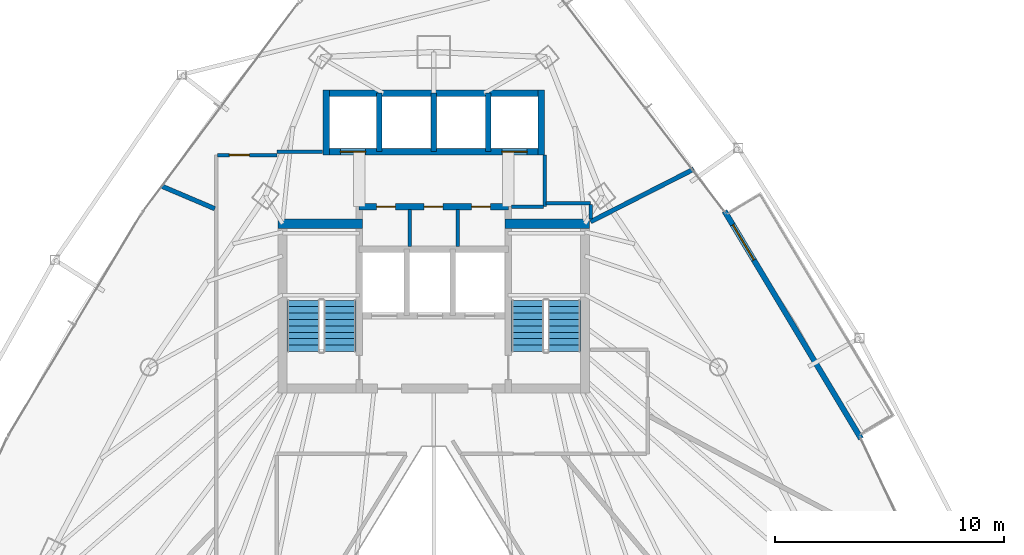
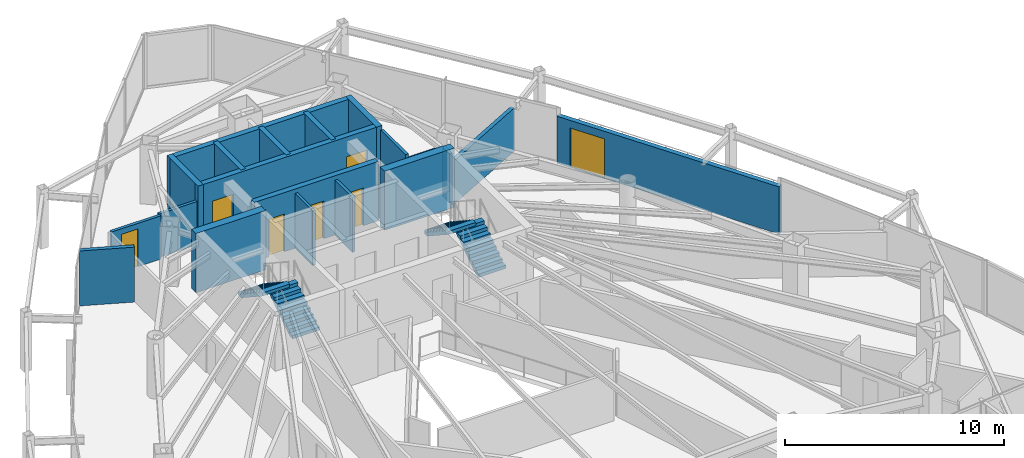
# One storey, part 28 of 31: 21 walls, 7 doors, 4 stair flights, 7 openings, 2 elements without a shape of their own.
"""IFC4 building model written with IfcOpenShell, lengths in metres."""

from ifc_helpers import new_model, si_unit, direction, frame, frame_2d, origin, place, context, subcontext, project, spatial, polyline, rectangle, outline, extrude, material, layer, layer_set, type_object, element, fill, aggregate, save


model = new_model("IFC4")

# Units and contexts
model_context = context("Model", 3, precision=1e-05, world=origin(), true_north=direction((0.0, 1.0)))
body_context = subcontext(model_context, "Body", "Model", "MODEL_VIEW")
ifc_project = project(units=[si_unit("LENGTHUNIT", "METRE"), si_unit("AREAUNIT", "SQUARE_METRE"), si_unit("VOLUMEUNIT", "CUBIC_METRE"), si_unit("PLANEANGLEUNIT", "RADIAN"), si_unit("MASSUNIT", "GRAM", prefix="KILO")], contexts=[model_context])

# Site, building, storey
site_placement = place(None, origin())
site = spatial("IfcSite", under=ifc_project, at=site_placement, CompositionType="ELEMENT")
building_placement = place(site_placement, origin())
building = spatial("IfcBuilding", under=site, at=building_placement, Name="Orvanel Arch Residences", CompositionType="ELEMENT")
storey_placement = place(building_placement, frame((0.0, 0.0, 126.5)))
storey = spatial("IfcBuildingStorey", under=building, at=storey_placement, Name="L35", CompositionType="ELEMENT", Elevation=126.5)

# Wall, opening, door
ifc_material_1 = material(Name="Precast concrete N50 (50 MPa)", Category="concrete")
ifc_layer_1 = layer(ifc_material_1, 0.239990234375)
ifc_layer_set_1 = layer_set([ifc_layer_1], Name="Precast concrete N50 (50 MPa)")
wall_type_1 = type_object("IfcWallType", Name="EW-BAL-240", PredefinedType="SOLIDWALL", material=ifc_layer_set_1)
wall_1_placement = place(storey_placement, frame((51.658935546875, 24.514892578125, 0.0), z_axis=(0.0, 0.0, 1.0), x_axis=(-0.514343998995, 0.857583961311, 0.0)))
wall_1 = element("IfcWall", 1, at=wall_1_placement, inside=storey, type_object=wall_type_1, Name="L35 Balcony Threshold Wall Face 3", PredefinedType="SOLIDWALL", context=body_context, shape_type="SweptSolid", body=[
    extrude(rectangle(XDim=11.59326171875, YDim=0.239990234375, at=frame_2d((5.796630859375, 0.0))), origin(), (0.0, 0.0, 1.0), 2.6240234375),
])
opening_1_placement = place(wall_1_placement, frame((9.095947265625, 0.0, 0.0)))
opening_1 = element("IfcOpeningElement", 2, at=opening_1_placement, cuts=wall_1, Name="Opening DB-180", PredefinedType="OPENING", context=body_context, shape_type="SweptSolid", body=[
    extrude(rectangle(XDim=1.800048828125, YDim=2.199951171875, at=frame_2d((0.89990234375, 1.10009765625))), frame((0.0, 0.1298828125, 0.0), z_axis=(0.0, -1.0, 0.0), x_axis=(1.0, 0.0, 0.0)), (0.0, 0.0, 1.0), 0.260009765625),
])
ifc_material_2 = material(Name="Bronze-anodised aluminium AA6063-T6", Category="aluminium")
door_type_1 = type_object("IfcDoorType", Name="DR-BAL-1800", OperationType="NOTDEFINED", PredefinedType="DOOR", material=ifc_material_2)
door_1_placement = place(opening_1_placement, origin())
door_1 = element("IfcDoor", 3, at=door_1_placement, inside=storey, type_object=door_type_1, Name="DR-L35-BAL-F3 L35 Planted Balcony Access Door Face 3", OperationType="SINGLE_SWING_LEFT", OverallHeight=2.199951171875, OverallWidth=1.800048828125, PredefinedType="DOOR", context=body_context, shape_type="SweptSolid", body=[
    extrude(rectangle(XDim=1.800048828125, YDim=2.199951171875, at=frame_2d((0.89990234375, 1.10009765625))), frame((0.0, 0.02490234375, 0.0), z_axis=(0.0, -1.0, 0.0), x_axis=(1.0, 0.0, 0.0)), (0.0, 0.0, 1.0), 0.050048828125),
])
fill(opening_1, door_1)

# Walls
ifc_material_3 = material(Name="Concrete N50 (50 MPa)", Category="concrete")
ifc_layer_2 = layer(ifc_material_3, 0.25)
ifc_layer_set_2 = layer_set([ifc_layer_2], Name="Concrete N50 (50 MPa)")
wall_type_2 = type_object("IfcWallType", Name="SW-CORE-250", PredefinedType="SHEAR", material=ifc_layer_set_2)
for number, where, z_axis, x_axis, name in (
    (4, (30.625, 37.050048828125, 0.0), (0.0, 0.0, 1.0), (0.0, 1.0, 0.0), "L35 Passenger Lift Inter-Shaft Wall P35"),
    (5, (33.0, 37.050048828125, 0.0), (0.0, 0.0, 1.0), (0.0, 1.0, 0.0), "L35 Passenger Lift Inter-Shaft Wall P56"),
    (6, (35.375, 37.050048828125, 0.0), (0.0, 0.0, 1.0), (0.0, 1.0, 0.0), "L35 Passenger Lift Inter-Shaft Wall P64"),
):
    element("IfcWall", number, at=place(storey_placement, frame(where, z_axis=z_axis, x_axis=x_axis)), inside=storey, type_object=wall_type_2, Name=name, PredefinedType="SHEAR", context=body_context, shape_type="SweptSolid", body=[
        extrude(rectangle(XDim=2.550048828125, YDim=0.25, at=frame_2d((1.27490234375, 0.0))), origin(), (0.0, 0.0, 1.0), 3.300048828125),
    ])

# Wall, openings, doors
ifc_material_4 = material(Name="Concrete S65 (65 MPa)", Category="concrete")
ifc_layer_3 = layer(ifc_material_4, 0.280029296875)
ifc_layer_set_3 = layer_set([ifc_layer_3], Name="Concrete S65 (65 MPa)")
wall_type_3 = type_object("IfcWallType", Name="SW-CORE-280", PredefinedType="SHEAR", material=ifc_layer_set_3)
wall_2_placement = place(storey_placement, frame((29.739990234375, 34.64990234375, 0.0), z_axis=(0.0, 0.0, 1.0), x_axis=(1.0, 0.0, 0.0)))
wall_2 = element("IfcWall", 7, at=wall_2_placement, inside=storey, type_object=wall_type_3, Name="L35 Core Service Band North Shear Wall", PredefinedType="SHEAR", context=body_context, shape_type="SweptSolid", body=[
    extrude(rectangle(XDim=6.52001953125, YDim=0.280029296875, at=frame_2d((3.260009765625, 0.0))), origin(), (0.0, 0.0, 1.0), 3.300048828125),
])
opening_2_placement = place(wall_2_placement, frame((0.764892578125, 0.0, 0.0)))
opening_2 = element("IfcOpeningElement", 8, at=opening_2_placement, cuts=wall_2, Name="Opening DS-082", PredefinedType="OPENING", context=body_context, shape_type="SweptSolid", body=[
    extrude(rectangle(XDim=0.820068359375, YDim=2.10009765625, at=frame_2d((0.41015625, 1.050048828125))), frame((0.0, 0.14990234375, 0.0), z_axis=(0.0, -1.0, 0.0), x_axis=(1.0, 0.0, 0.0)), (0.0, 0.0, 1.0), 0.300048828125),
])
opening_3_placement = place(wall_2_placement, frame((2.840087890625, 0.0, 0.0)))
opening_3 = element("IfcOpeningElement", 9, at=opening_3_placement, cuts=wall_2, Name="Opening DS-082", PredefinedType="OPENING", context=body_context, shape_type="SweptSolid", body=[
    extrude(rectangle(XDim=0.820068359375, YDim=2.10009765625, at=frame_2d((0.41015625, 1.050048828125))), frame((0.0, 0.14990234375, 0.0), z_axis=(0.0, -1.0, 0.0), x_axis=(1.0, 0.0, 0.0)), (0.0, 0.0, 1.0), 0.300048828125),
])
opening_4_placement = place(wall_2_placement, frame((4.9150390625, 0.0, 0.0)))
opening_4 = element("IfcOpeningElement", 10, at=opening_4_placement, cuts=wall_2, Name="Opening DS-082", PredefinedType="OPENING", context=body_context, shape_type="SweptSolid", body=[
    extrude(rectangle(XDim=0.820068359375, YDim=2.10009765625, at=frame_2d((0.41015625, 1.050048828125))), frame((0.0, 0.14990234375, 0.0), z_axis=(0.0, -1.0, 0.0), x_axis=(1.0, 0.0, 0.0)), (0.0, 0.0, 1.0), 0.300048828125),
])
ifc_material_5 = material(Name="Galvanised steel fire-resisting door assembly", Category="steel")
door_type_2 = type_object("IfcDoorType", Name="DR-SVC-820", OperationType="NOTDEFINED", PredefinedType="DOOR", material=ifc_material_5)
door_2_placement = place(opening_2_placement, origin())
door_2 = element("IfcDoor", 11, at=door_2_placement, inside=storey, type_object=door_type_2, Name="DR-L35-CSVC-1 L35 Housekeeping Store Door", OperationType="SINGLE_SWING_LEFT", OverallHeight=2.10009765625, OverallWidth=0.820068359375, PredefinedType="DOOR", context=body_context, shape_type="SweptSolid", body=[
    extrude(rectangle(XDim=0.820068359375, YDim=2.10009765625, at=frame_2d((0.41015625, 1.050048828125))), frame((0.0, 0.02490234375, 0.0), z_axis=(0.0, -1.0, 0.0), x_axis=(1.0, 0.0, 0.0)), (0.0, 0.0, 1.0), 0.050048828125),
])
fill(opening_2, door_2)
door_3_placement = place(opening_3_placement, origin())
door_3 = element("IfcDoor", 12, at=door_3_placement, inside=storey, type_object=door_type_2, Name="DR-L35-CSVC-2 L35 Cleaner's Store Door", OperationType="SINGLE_SWING_LEFT", OverallHeight=2.10009765625, OverallWidth=0.820068359375, PredefinedType="DOOR", context=body_context, shape_type="SweptSolid", body=[
    extrude(rectangle(XDim=0.820068359375, YDim=2.10009765625, at=frame_2d((0.41015625, 1.050048828125))), frame((0.0, 0.02490234375, 0.0), z_axis=(0.0, -1.0, 0.0), x_axis=(1.0, 0.0, 0.0)), (0.0, 0.0, 1.0), 0.050048828125),
])
fill(opening_3, door_3)
door_4_placement = place(opening_4_placement, origin())
door_4 = element("IfcDoor", 13, at=door_4_placement, inside=storey, type_object=door_type_2, Name="DR-L35-CSVC-3 L35 Comms Riser Store Door", OperationType="SINGLE_SWING_LEFT", OverallHeight=2.10009765625, OverallWidth=0.820068359375, PredefinedType="DOOR", context=body_context, shape_type="SweptSolid", body=[
    extrude(rectangle(XDim=0.820068359375, YDim=2.10009765625, at=frame_2d((0.41015625, 1.050048828125))), frame((0.0, 0.02490234375, 0.0), z_axis=(0.0, -1.0, 0.0), x_axis=(1.0, 0.0, 0.0)), (0.0, 0.0, 1.0), 0.050048828125),
])
fill(opening_4, door_4)

wall_3_placement = place(storey_placement, frame((37.840087890625, 37.050048828125, 0.0), z_axis=(0.0, 0.0, 1.0), x_axis=(-1.0, 0.0, 0.0)))
wall_3 = element("IfcWall", 14, at=wall_3_placement, inside=storey, type_object=wall_type_3, Name="L35 Passenger Lift Bank Front Shear Wall", PredefinedType="SHEAR", context=body_context, shape_type="SweptSolid", body=[
    extrude(rectangle(XDim=9.68017578125, YDim=0.280029296875, at=frame_2d((4.840087890625, 0.0))), origin(), (0.0, 0.0, 1.0), 3.300048828125),
])
opening_5_placement = place(wall_3_placement, frame((7.81494140625, 0.0, 0.0)))
opening_5 = element("IfcOpeningElement", 15, at=opening_5_placement, cuts=wall_3, Name="Opening LD-110", PredefinedType="OPENING", context=body_context, shape_type="SweptSolid", body=[
    extrude(rectangle(XDim=1.10009765625, YDim=2.199951171875, at=frame_2d((0.550048828125, 1.10009765625))), frame((0.0, 0.14990234375, 0.0), z_axis=(0.0, -1.0, 0.0), x_axis=(1.0, 0.0, 0.0)), (0.0, 0.0, 1.0), 0.300048828125),
])
opening_6_placement = place(wall_3_placement, frame((0.764892578125, 0.0, 0.0)))
opening_6 = element("IfcOpeningElement", 16, at=opening_6_placement, cuts=wall_3, Name="Opening LD-110", PredefinedType="OPENING", context=body_context, shape_type="SweptSolid", body=[
    extrude(rectangle(XDim=1.10009765625, YDim=2.199951171875, at=frame_2d((0.550048828125, 1.10009765625))), frame((0.0, 0.14990234375, 0.0), z_axis=(0.0, -1.0, 0.0), x_axis=(1.0, 0.0, 0.0)), (0.0, 0.0, 1.0), 0.300048828125),
])
door_type_3 = type_object("IfcDoorType", Name="DR-LFT-1100", OperationType="NOTDEFINED", PredefinedType="DOOR", material=ifc_material_5)
door_5_placement = place(opening_5_placement, origin())
door_5 = element("IfcDoor", 17, at=door_5_placement, inside=storey, type_object=door_type_3, Name="LD-P3-L35 L35 Passenger Lift P3 Sliding Landing Door", OperationType="DOUBLE_DOOR_SLIDING", OverallHeight=2.199951171875, OverallWidth=1.10009765625, PredefinedType="DOOR", context=body_context, shape_type="SweptSolid", body=[
    extrude(rectangle(XDim=1.10009765625, YDim=2.199951171875, at=frame_2d((0.550048828125, 1.10009765625))), frame((0.0, 0.02490234375, 0.0), z_axis=(0.0, -1.0, 0.0), x_axis=(1.0, 0.0, 0.0)), (0.0, 0.0, 1.0), 0.050048828125),
])
fill(opening_5, door_5)
door_6_placement = place(opening_6_placement, origin())
door_6 = element("IfcDoor", 18, at=door_6_placement, inside=storey, type_object=door_type_3, Name="LD-P4-L35 L35 Passenger Lift P4 Sliding Landing Door", OperationType="DOUBLE_DOOR_SLIDING", OverallHeight=2.199951171875, OverallWidth=1.10009765625, PredefinedType="DOOR", context=body_context, shape_type="SweptSolid", body=[
    extrude(rectangle(XDim=1.10009765625, YDim=2.199951171875, at=frame_2d((0.550048828125, 1.10009765625))), frame((0.0, 0.02490234375, 0.0), z_axis=(0.0, -1.0, 0.0), x_axis=(1.0, 0.0, 0.0)), (0.0, 0.0, 1.0), 0.050048828125),
])
fill(opening_6, door_6)

# Walls
wall_4_placement = place(storey_placement, frame((28.159912109375, 39.60009765625, 0.0), z_axis=(0.0, 0.0, 1.0), x_axis=(1.0, 0.0, 0.0)))
element("IfcWall", 19, at=wall_4_placement, inside=storey, type_object=wall_type_3, Name="L35 Passenger Lift Bank North Shear Wall", PredefinedType="SHEAR", context=body_context, shape_type="SweptSolid", body=[
    extrude(rectangle(XDim=9.68017578125, YDim=0.280029296875, at=frame_2d((4.840087890625, 0.0))), origin(), (0.0, 0.0, 1.0), 3.300048828125),
])
for number, where, z_axis, x_axis, name in (
    (20, (28.300048828125, 36.909912109375, 0.0), (0.0, 0.0, 1.0), (0.0, 1.0, 0.0), "L35 Passenger Lift Bank West Shear Wall"),
    (21, (37.699951171875, 36.909912109375, 0.0), (0.0, 0.0, 1.0), (0.0, 1.0, 0.0), "L35 Passenger Lift Bank East Shear Wall"),
):
    element("IfcWall", number, at=place(storey_placement, frame(where, z_axis=z_axis, x_axis=x_axis)), inside=storey, type_object=wall_type_3, Name=name, PredefinedType="SHEAR", context=body_context, shape_type="SweptSolid", body=[
        extrude(rectangle(XDim=2.830078125, YDim=0.280029296875, at=frame_2d((1.4150390625, 0.0))), origin(), (0.0, 0.0, 1.0), 3.300048828125),
    ])
ifc_layer_4 = layer(ifc_material_4, 0.39990234375)
ifc_layer_set_4 = layer_set([ifc_layer_4], Name="Concrete S65 (65 MPa)")
wall_type_4 = type_object("IfcWallType", Name="SW-CORE-400", PredefinedType="SHEAR", material=ifc_layer_set_4)
for number, where, z_axis, x_axis, name in (
    (22, (26.199951171875, 33.89990234375, 0.0), (0.0, 0.0, 1.0), (1.0, 0.0, 0.0), "L35 West Stair North Shear Wall"),
    (23, (36.1201171875, 33.89990234375, 0.0), (0.0, 0.0, 1.0), (1.0, 0.0, 0.0), "L35 East Stair North Shear Wall"),
):
    element("IfcWall", number, at=place(storey_placement, frame(where, z_axis=z_axis, x_axis=x_axis)), inside=storey, type_object=wall_type_4, Name=name, PredefinedType="SHEAR", context=body_context, shape_type="SweptSolid", body=[
        extrude(rectangle(XDim=3.679931640625, YDim=0.39990234375, at=frame_2d((1.83984375, 0.0))), origin(), (0.0, 0.0, 1.0), 3.300048828125),
    ])
ifc_material_6 = material(Name="Fire-rated plasterboard lined steel stud partition", Category="steel")
ifc_layer_5 = layer(ifc_material_6, 0.14990234375)
ifc_layer_set_5 = layer_set([ifc_layer_5], Name="Fire-rated plasterboard lined steel stud partition")
wall_type_5 = type_object("IfcWallType", Name="W-COR-150", PredefinedType="PARTITIONING", material=ifc_layer_set_5)
wall_5_placement = place(storey_placement, frame((37.85009765625, 34.64990234375, 0.0), z_axis=(0.0, 0.0, 1.0), x_axis=(0.0, 1.0, 0.0)))
element("IfcWall", 24, at=wall_5_placement, inside=storey, type_object=wall_type_5, Name="L35 Passenger Lift Lobby East Closure Wall", PredefinedType="PARTITIONING", context=body_context, shape_type="SweptSolid", body=[
    extrude(rectangle(XDim=2.260009765625, YDim=0.14990234375, at=frame_2d((1.1298828125, 0.0))), origin(), (0.0, 0.0, 1.0), 3.06005859375),
])
wall_6_placement = place(storey_placement, frame((36.385009765625, 34.64990234375, 0.0), z_axis=(0.0, 0.0, 1.0), x_axis=(1.0, 0.0, 0.0)))
element("IfcWall", 25, at=wall_6_placement, inside=storey, type_object=wall_type_5, Name="L35 Passenger Lift Lobby South-East Wall", PredefinedType="PARTITIONING", context=body_context, shape_type="SweptSolid", body=[
    extrude(rectangle(XDim=1.405029296875, YDim=0.14990234375, at=frame_2d((0.70263671875, 0.0))), origin(), (0.0, 0.0, 1.0), 2.425048828125),
])

# Wall, opening, door
wall_7_placement = place(storey_placement, frame((23.56005859375, 36.89990234375, 0.0), z_axis=(0.0, 0.0, 1.0), x_axis=(1.0, 0.0, 0.0)))
wall_7 = element("IfcWall", 26, at=wall_7_placement, inside=storey, type_object=wall_type_5, Name="L35 Corridor Fire-Rated Partition", PredefinedType="PARTITIONING", context=body_context, shape_type="SweptSolid", body=[
    extrude(rectangle(XDim=2.58984375, YDim=0.14990234375, at=frame_2d((1.294921875, 0.0))), origin(), (0.0, 0.0, 1.0), 2.4130859375),
])
opening_7_placement = place(wall_7_placement, frame((0.514892578125, 0.0, 0.0)))
opening_7 = element("IfcOpeningElement", 27, at=opening_7_placement, cuts=wall_7, Name="Opening DI-088", PredefinedType="OPENING", context=body_context, shape_type="SweptSolid", body=[
    extrude(rectangle(XDim=0.8798828125, YDim=2.10009765625, at=frame_2d((0.43994140625, 1.050048828125))), frame((0.0, 0.0849609375, 0.0), z_axis=(0.0, -1.0, 0.0), x_axis=(1.0, 0.0, 0.0)), (0.0, 0.0, 1.0), 0.169921875),
])
ifc_material_7 = material(Name="Solid-core European oak veneer fire door leaf", Category="wood")
door_type_4 = type_object("IfcDoorType", Name="DR-INT-880", OperationType="NOTDEFINED", PredefinedType="DOOR", material=ifc_material_7)
door_7_placement = place(opening_7_placement, origin())
door_7 = element("IfcDoor", 28, at=door_7_placement, inside=storey, type_object=door_type_4, Name="DR-L35-SHRD-FB3 L35 Co-Working Study Office C Door", OperationType="SINGLE_SWING_LEFT", OverallHeight=2.10009765625, OverallWidth=0.8798828125, PredefinedType="DOOR", context=body_context, shape_type="SweptSolid", body=[
    extrude(rectangle(XDim=0.8798828125, YDim=2.10009765625, at=frame_2d((0.43994140625, 1.050048828125))), frame((0.0, 0.02490234375, 0.0), z_axis=(0.0, -1.0, 0.0), x_axis=(1.0, 0.0, 0.0)), (0.0, 0.0, 1.0), 0.050048828125),
])
fill(opening_7, door_7)

# Walls
wall_8_placement = place(storey_placement, frame((26.14990234375, 37.050048828125, 0.0), z_axis=(0.0, 0.0, 1.0), x_axis=(1.0, 0.0, 0.0)))
element("IfcWall", 29, at=wall_8_placement, inside=storey, type_object=wall_type_5, Name="L35 Core Perimeter Partition", PredefinedType="PARTITIONING", context=body_context, shape_type="SweptSolid", body=[
    extrude(rectangle(XDim=2.0, YDim=0.14990234375, at=frame_2d((1.0, 0.0))), origin(), (0.0, 0.0, 1.0), 2.4130859375),
])
wall_9_placement = place(storey_placement, frame((37.909912109375, 34.800048828125, 0.0), z_axis=(0.0, 0.0, 1.0), x_axis=(1.0, 0.0, 0.0)))
element("IfcWall", 30, at=wall_9_placement, inside=storey, type_object=wall_type_5, Name="L35 Core Perimeter Partition", PredefinedType="PARTITIONING", context=body_context, shape_type="SweptSolid", body=[
    extrude(rectangle(XDim=1.940185546875, YDim=0.14990234375, at=frame_2d((0.97021484375, 0.0))), origin(), (0.0, 0.0, 1.0), 2.720947265625),
])
wall_10_placement = place(storey_placement, frame((39.85009765625, 34.739990234375, 0.0), z_axis=(0.0, 0.0, 1.0), x_axis=(0.0, -1.0, 0.0)))
element("IfcWall", 31, at=wall_10_placement, inside=storey, type_object=wall_type_5, Name="L35 Core Perimeter Partition", PredefinedType="PARTITIONING", context=body_context, shape_type="SweptSolid", body=[
    extrude(rectangle(XDim=0.639892578125, YDim=0.14990234375, at=frame_2d((0.31982421875, 0.0))), origin(), (0.0, 0.0, 1.0), 2.720947265625),
])
ifc_layer_6 = layer(ifc_material_6, 0.199951171875)
ifc_layer_set_6 = layer_set([ifc_layer_6], Name="Fire-rated plasterboard lined steel stud partition")
wall_type_6 = type_object("IfcWallType", Name="W-DEM-200", PredefinedType="PARTITIONING", material=ifc_layer_set_6)
wall_11_placement = place(storey_placement, frame((21.111083984375, 35.547119140625, 0.0), z_axis=(0.0, 0.0, 1.0), x_axis=(0.920437694564, -0.390889307126, 0.0)))
element("IfcWall", 32, at=wall_11_placement, inside=storey, type_object=wall_type_6, Name="L35 Inter-Tenancy Acoustic Demising Wall", PredefinedType="PARTITIONING", context=body_context, shape_type="SweptSolid", body=[
    extrude(rectangle(XDim=2.5302734375, YDim=0.199951171875, at=frame_2d((1.26513671875, 0.0))), origin(), (0.0, 0.0, 1.0), 3.06005859375),
])
wall_12_placement = place(storey_placement, frame((44.35888671875, 36.2880859375, 0.0), z_axis=(0.0, 0.0, 1.0), x_axis=(-0.890946333403, -0.454108611453, 0.0)))
element("IfcWall", 33, at=wall_12_placement, inside=storey, type_object=wall_type_6, Name="L35 Inter-Tenancy Acoustic Demising Wall", PredefinedType="PARTITIONING", context=body_context, shape_type="SweptSolid", body=[
    extrude(rectangle(XDim=5.060791015625, YDim=0.199951171875, at=frame_2d((2.5302734375, 0.0))), origin(), (0.0, 0.0, 1.0), 2.4130859375),
])
ifc_layer_7 = layer(ifc_material_6, 0.14990234375)
ifc_layer_set_7 = layer_set([ifc_layer_7], Name="Fire-rated plasterboard lined steel stud partition")
wall_type_7 = type_object("IfcWallType", Name="W-ST-150", PredefinedType="PARTITIONING", material=ifc_layer_set_7)
for number, where, z_axis, x_axis, name in (
    (34, (31.949951171875, 32.9150390625, 0.0), (0.0, 0.0, 1.0), (0.0, 1.0, 0.0), "L35 Core Service Partition 1"),
    (35, (34.050048828125, 32.9150390625, 0.0), (0.0, 0.0, 1.0), (0.0, 1.0, 0.0), "L35 Core Service Partition 2"),
):
    element("IfcWall", number, at=place(storey_placement, frame(where, z_axis=z_axis, x_axis=x_axis)), inside=storey, type_object=wall_type_7, Name=name, PredefinedType="PARTITIONING", context=body_context, shape_type="SweptSolid", body=[
        extrude(rectangle(XDim=1.60986328125, YDim=0.14990234375, at=frame_2d((0.804931640625, 0.0))), origin(), (0.0, 0.0, 1.0), 3.06005859375),
    ])

# Stair, stair flights
stair_type = type_object("IfcStairType", Name="STR-DOG-184", PredefinedType="USERDEFINED", material=ifc_material_1)
stair_1_placement = place(storey_placement, origin())
stair_1 = element("IfcStair", 36, at=stair_1_placement, inside=storey, type_object=stair_type, Name="L35 Fire-Isolated Core Exit Stair 1", ObjectType="TWO_RETURN_STAIR", PredefinedType="USERDEFINED")
stair_flight_type_1 = type_object("IfcStairFlightType", Name="SFL-C1-184", PredefinedType="STRAIGHT", material=ifc_material_1)
stair_flight_1_placement = place(storey_placement, frame((28.889892578125, 28.320068359375, 0.0), z_axis=(0.0, 0.0, 1.0), x_axis=(0.0, 1.0, 0.0)))
stair_flight_1 = element("IfcStairFlight", 37, at=stair_flight_1_placement, type_object=stair_flight_type_1, Name="ST-1 flight 1", NumberOfRisers=9, NumberOfTreads=8, PredefinedType="STRAIGHT", RiserHeight=0.183333333, TreadLength=0.28, context=body_context, shape_type="SweptSolid", body=[
    extrude(outline(polyline([(0.0, 0.0), (0.0, 0.183349609375), (0.280029296875, 0.183349609375), (0.280029296875, 0.36669921875), (0.56005859375, 0.36669921875), (0.56005859375, 0.550048828125), (0.840087890625, 0.550048828125), (0.840087890625, 0.7333984375), (1.1201171875, 0.7333984375), (1.1201171875, 0.916748046875), (1.39990234375, 0.916748046875), (1.39990234375, 1.10009765625), (1.679931640625, 1.10009765625), (1.679931640625, 1.283447265625), (1.9599609375, 1.283447265625), (1.9599609375, 1.466552734375), (2.239990234375, 1.466552734375), (2.239990234375, 1.64990234375), (2.239990234375, 1.28759765625), (0.273681640625, 0.0), (0.0, 0.0)])), frame((0.0, 0.7099609375, 0.0), z_axis=(0.0, -1.0, 0.0), x_axis=(1.0, 0.0, 0.0)), (0.0, 0.0, 1.0), 1.419921875),
])
stair_flight_2_placement = place(storey_placement, frame((27.31005859375, 30.56005859375, 1.64990234375), z_axis=(0.0, 0.0, 1.0), x_axis=(0.0, -1.0, 0.0)))
stair_flight_2 = element("IfcStairFlight", 38, at=stair_flight_2_placement, type_object=stair_flight_type_1, Name="ST-1 flight 2", NumberOfRisers=9, NumberOfTreads=8, PredefinedType="STRAIGHT", RiserHeight=0.183333333, TreadLength=0.28, context=body_context, shape_type="SweptSolid", body=[
    extrude(outline(polyline([(0.0, 0.0), (0.0, 0.183349609375), (0.280029296875, 0.183349609375), (0.280029296875, 0.36669921875), (0.56005859375, 0.36669921875), (0.56005859375, 0.550048828125), (0.840087890625, 0.550048828125), (0.840087890625, 0.7333984375), (1.1201171875, 0.7333984375), (1.1201171875, 0.916748046875), (1.39990234375, 0.916748046875), (1.39990234375, 1.10009765625), (1.679931640625, 1.10009765625), (1.679931640625, 1.283447265625), (1.9599609375, 1.283447265625), (1.9599609375, 1.466552734375), (2.239990234375, 1.466552734375), (2.239990234375, 1.64990234375), (2.239990234375, 1.28759765625), (0.273681640625, 0.0), (0.0, 0.0)])), frame((0.0, 0.7099609375, 0.0), z_axis=(0.0, -1.0, 0.0), x_axis=(1.0, 0.0, 0.0)), (0.0, 0.0, 1.0), 1.419921875),
])
aggregate(stair_1, [stair_flight_1, stair_flight_2])

stair_2_placement = place(storey_placement, origin())
stair_2 = element("IfcStair", 39, at=stair_2_placement, inside=storey, type_object=stair_type, Name="L35 Fire-Isolated Core Exit Stair 2", ObjectType="TWO_RETURN_STAIR", PredefinedType="USERDEFINED")
stair_flight_type_2 = type_object("IfcStairFlightType", Name="SFL-C2-184", PredefinedType="STRAIGHT", material=ifc_material_1)
stair_flight_3_placement = place(storey_placement, frame((38.68994140625, 28.320068359375, 0.0), z_axis=(0.0, 0.0, 1.0), x_axis=(0.0, 1.0, 0.0)))
stair_flight_3 = element("IfcStairFlight", 40, at=stair_flight_3_placement, type_object=stair_flight_type_2, Name="ST-2 flight 1", NumberOfRisers=9, NumberOfTreads=8, PredefinedType="STRAIGHT", RiserHeight=0.183333333, TreadLength=0.28, context=body_context, shape_type="SweptSolid", body=[
    extrude(outline(polyline([(0.0, 0.0), (0.0, 0.183349609375), (0.280029296875, 0.183349609375), (0.280029296875, 0.36669921875), (0.56005859375, 0.36669921875), (0.56005859375, 0.550048828125), (0.840087890625, 0.550048828125), (0.840087890625, 0.7333984375), (1.1201171875, 0.7333984375), (1.1201171875, 0.916748046875), (1.39990234375, 0.916748046875), (1.39990234375, 1.10009765625), (1.679931640625, 1.10009765625), (1.679931640625, 1.283447265625), (1.9599609375, 1.283447265625), (1.9599609375, 1.466552734375), (2.239990234375, 1.466552734375), (2.239990234375, 1.64990234375), (2.239990234375, 1.28759765625), (0.273681640625, 0.0), (0.0, 0.0)])), frame((0.0, 0.7099609375, 0.0), z_axis=(0.0, -1.0, 0.0), x_axis=(1.0, 0.0, 0.0)), (0.0, 0.0, 1.0), 1.419921875),
])
stair_flight_4_placement = place(storey_placement, frame((37.110107421875, 30.56005859375, 1.64990234375), z_axis=(0.0, 0.0, 1.0), x_axis=(0.0, -1.0, 0.0)))
stair_flight_4 = element("IfcStairFlight", 41, at=stair_flight_4_placement, type_object=stair_flight_type_2, Name="ST-2 flight 2", NumberOfRisers=9, NumberOfTreads=8, PredefinedType="STRAIGHT", RiserHeight=0.183333333, TreadLength=0.28, context=body_context, shape_type="SweptSolid", body=[
    extrude(outline(polyline([(0.0, 0.0), (0.0, 0.183349609375), (0.280029296875, 0.183349609375), (0.280029296875, 0.36669921875), (0.56005859375, 0.36669921875), (0.56005859375, 0.550048828125), (0.840087890625, 0.550048828125), (0.840087890625, 0.7333984375), (1.1201171875, 0.7333984375), (1.1201171875, 0.916748046875), (1.39990234375, 0.916748046875), (1.39990234375, 1.10009765625), (1.679931640625, 1.10009765625), (1.679931640625, 1.283447265625), (1.9599609375, 1.283447265625), (1.9599609375, 1.466552734375), (2.239990234375, 1.466552734375), (2.239990234375, 1.64990234375), (2.239990234375, 1.28759765625), (0.273681640625, 0.0), (0.0, 0.0)])), frame((0.0, 0.7099609375, 0.0), z_axis=(0.0, -1.0, 0.0), x_axis=(1.0, 0.0, 0.0)), (0.0, 0.0, 1.0), 1.419921875),
])
aggregate(stair_2, [stair_flight_3, stair_flight_4])

save(model, "model.ifc")
